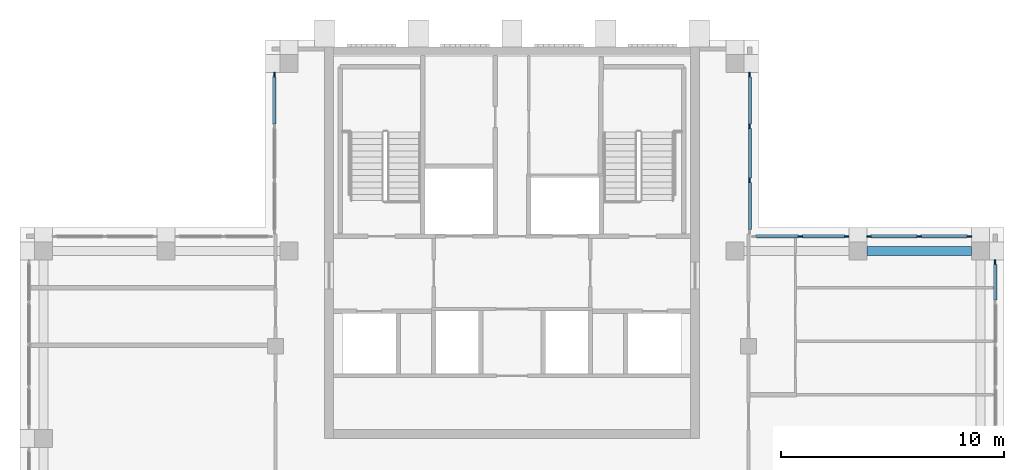
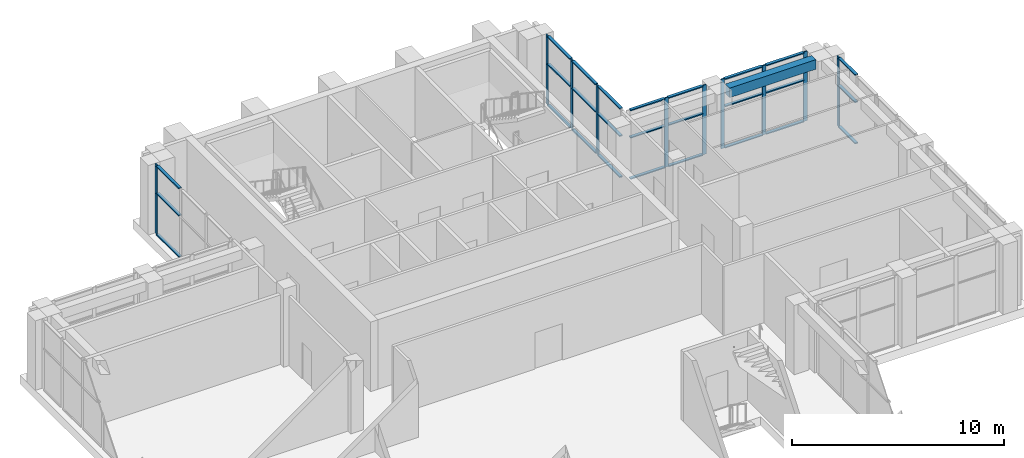
# One storey, part 6 of 14: 37 members, 1 beam, 5 elements without a shape of their own.
"""IFC4 building model written with IfcOpenShell, lengths in metres."""

from ifc_helpers import new_model, si_unit, direction, frame, origin, origin_2d, place, context, subcontext, project, spatial, rectangle, extrude, material, material_profile, profile_set, type_object, element, aggregate, save


model = new_model("IFC4")

# Units and contexts
model_context = context("Model", 3, precision=1e-05, world=origin(), true_north=direction((0.0, 1.0)))
body_context = subcontext(model_context, "Body", "Model", "MODEL_VIEW")
ifc_project = project(units=[si_unit("LENGTHUNIT", "METRE"), si_unit("AREAUNIT", "SQUARE_METRE"), si_unit("VOLUMEUNIT", "CUBIC_METRE"), si_unit("PLANEANGLEUNIT", "RADIAN"), si_unit("MASSUNIT", "GRAM", prefix="KILO")], contexts=[model_context])

# Site, building, storey
site_placement = place(None, origin())
site = spatial("IfcSite", under=ifc_project, at=site_placement, CompositionType="ELEMENT")
building_placement = place(site_placement, origin())
building = spatial("IfcBuilding", under=site, at=building_placement, Name="Vermilion Ogive Tower", CompositionType="ELEMENT")
storey_placement = place(building_placement, frame((0.0, 0.0, 273.85009765625)))
storey = spatial("IfcBuildingStorey", under=building, at=storey_placement, Name="L72", CompositionType="ELEMENT", Elevation=273.85009765625)

# Curtain wall, member
ifc_material_1 = material(Name="Laminated solar-control glazing in aluminium frame", Category="aluminium")
curtain_wall_type = type_object("IfcCurtainWallType", Name="Curtain wall CW4", PredefinedType="NOTDEFINED", material=ifc_material_1)
curtain_wall_1_placement = place(storey_placement, origin())
curtain_wall_1 = element("IfcCurtainWall", 1, at=curtain_wall_1_placement, inside=storey, type_object=curtain_wall_type, Name="CW4 glazing E2", PredefinedType="NOTDEFINED")
ifc_material_2 = material(Name="Aluminium mullion", Category="aluminium")
ifc_material_profile_1 = material_profile(ifc_material_2, rectangle(XDim=0.06005859375, YDim=0.199951171875, at=origin_2d()), Name="AL 60x200")
ifc_profile_set_1 = profile_set([ifc_material_profile_1], Name="Aluminium mullion")
member_type_1 = type_object("IfcMemberType", Name="CW4 mullion 60x200", PredefinedType="MULLION", material=ifc_profile_set_1)
member_1_placement = place(storey_placement, frame((21.64990234375, 12.10009765625, 0.0), z_axis=(0.0, 0.0, 1.0), x_axis=(-1.0, 0.0, 0.0)))
member_1 = element("IfcMember", 2, at=member_1_placement, type_object=member_type_1, Name="CW4-E2 mullion 5", PredefinedType="MULLION", context=body_context, shape_type="SweptSolid", body=[
    extrude(rectangle(XDim=0.06005859375, YDim=0.199951171875, at=origin_2d()), origin(), (0.0, 0.0, 1.0), 4.0),
])

# Curtain wall, members
curtain_wall_2_placement = place(storey_placement, origin())
curtain_wall_2 = element("IfcCurtainWall", 3, at=curtain_wall_2_placement, inside=storey, type_object=curtain_wall_type, Name="CW4 glazing X31", PredefinedType="NOTDEFINED")
member_2_placement = place(storey_placement, frame((20.5, 13.25, 0.0), z_axis=(0.0, 0.0, 1.0), x_axis=(0.0, -1.0, 0.0)))
member_2 = element("IfcMember", 4, at=member_2_placement, type_object=member_type_1, Name="CW4-X31 mullion 1", PredefinedType="MULLION", context=body_context, shape_type="SweptSolid", body=[
    extrude(rectangle(XDim=0.06005859375, YDim=0.199951171875, at=origin_2d()), origin(), (0.0, 0.0, 1.0), 4.0),
])
member_3_placement = place(storey_placement, frame((18.25, 13.25, 0.0), z_axis=(0.0, 0.0, 1.0), x_axis=(0.0, -1.0, 0.0)))
member_3 = element("IfcMember", 5, at=member_3_placement, type_object=member_type_1, Name="CW4-X31 mullion 2", PredefinedType="MULLION", context=body_context, shape_type="SweptSolid", body=[
    extrude(rectangle(XDim=0.06005859375, YDim=0.199951171875, at=origin_2d()), origin(), (0.0, 0.0, 1.0), 4.0),
])
member_4_placement = place(storey_placement, frame((16.0, 13.25, 0.0), z_axis=(0.0, 0.0, 1.0), x_axis=(0.0, -1.0, 0.0)))
member_4 = element("IfcMember", 6, at=member_4_placement, type_object=member_type_1, Name="CW4-X31 mullion 3", PredefinedType="MULLION", context=body_context, shape_type="SweptSolid", body=[
    extrude(rectangle(XDim=0.06005859375, YDim=0.199951171875, at=origin_2d()), origin(), (0.0, 0.0, 1.0), 4.0),
])

curtain_wall_3_placement = place(storey_placement, origin())
curtain_wall_3 = element("IfcCurtainWall", 7, at=curtain_wall_3_placement, inside=storey, type_object=curtain_wall_type, Name="CW4 glazing X32", PredefinedType="NOTDEFINED")
member_5_placement = place(storey_placement, frame((15.0, 13.25, 0.0), z_axis=(0.0, 0.0, 1.0), x_axis=(0.0, -1.0, 0.0)))
member_5 = element("IfcMember", 8, at=member_5_placement, type_object=member_type_1, Name="CW4-X32 mullion 1", PredefinedType="MULLION", context=body_context, shape_type="SweptSolid", body=[
    extrude(rectangle(XDim=0.06005859375, YDim=0.199951171875, at=origin_2d()), origin(), (0.0, 0.0, 1.0), 4.0),
])
member_6_placement = place(storey_placement, frame((12.925048828125, 13.25, 0.0), z_axis=(0.0, 0.0, 1.0), x_axis=(0.0, -1.0, 0.0)))
member_6 = element("IfcMember", 9, at=member_6_placement, type_object=member_type_1, Name="CW4-X32 mullion 2", PredefinedType="MULLION", context=body_context, shape_type="SweptSolid", body=[
    extrude(rectangle(XDim=0.06005859375, YDim=0.199951171875, at=origin_2d()), origin(), (0.0, 0.0, 1.0), 4.0),
])

curtain_wall_4_placement = place(storey_placement, origin())
curtain_wall_4 = element("IfcCurtainWall", 10, at=curtain_wall_4_placement, inside=storey, type_object=curtain_wall_type, Name="CW4 glazing X41", PredefinedType="NOTDEFINED")
member_7_placement = place(storey_placement, frame((10.64990234375, 15.7666015625, 0.0), z_axis=(0.0, 0.0, 1.0), x_axis=(-1.0, 0.0, 0.0)))
member_7 = element("IfcMember", 11, at=member_7_placement, type_object=member_type_1, Name="CW4-X41 mullion 2", PredefinedType="MULLION", context=body_context, shape_type="SweptSolid", body=[
    extrude(rectangle(XDim=0.06005859375, YDim=0.199951171875, at=origin_2d()), origin(), (0.0, 0.0, 1.0), 4.0),
])
member_8_placement = place(storey_placement, frame((10.64990234375, 18.183349609375, 0.0), z_axis=(0.0, 0.0, 1.0), x_axis=(-1.0, 0.0, 0.0)))
member_8 = element("IfcMember", 12, at=member_8_placement, type_object=member_type_1, Name="CW4-X41 mullion 3", PredefinedType="MULLION", context=body_context, shape_type="SweptSolid", body=[
    extrude(rectangle(XDim=0.06005859375, YDim=0.199951171875, at=origin_2d()), origin(), (0.0, 0.0, 1.0), 4.0),
])
member_9_placement = place(storey_placement, frame((10.64990234375, 20.5, 0.0), z_axis=(0.0, 0.0, 1.0), x_axis=(-1.0, 0.0, 0.0)))
member_9 = element("IfcMember", 13, at=member_9_placement, type_object=member_type_1, Name="CW4-X41 mullion 4", PredefinedType="MULLION", context=body_context, shape_type="SweptSolid", body=[
    extrude(rectangle(XDim=0.06005859375, YDim=0.199951171875, at=origin_2d()), origin(), (0.0, 0.0, 1.0), 4.0),
])

# Curtain wall, member
curtain_wall_5_placement = place(storey_placement, origin())
curtain_wall_5 = element("IfcCurtainWall", 14, at=curtain_wall_5_placement, inside=storey, type_object=curtain_wall_type, Name="CW4 glazing X51", PredefinedType="NOTDEFINED")
member_10_placement = place(storey_placement, frame((-10.64990234375, 20.5, 0.0), z_axis=(0.0, 0.0, 1.0), x_axis=(1.0, 0.0, 0.0)))
member_10 = element("IfcMember", 15, at=member_10_placement, type_object=member_type_1, Name="CW4-X51 mullion 1", PredefinedType="MULLION", context=body_context, shape_type="SweptSolid", body=[
    extrude(rectangle(XDim=0.06005859375, YDim=0.199951171875, at=origin_2d()), origin(), (0.0, 0.0, 1.0), 4.0),
])

# Member
ifc_material_3 = material(Name="Aluminium transom", Category="aluminium")
ifc_material_profile_2 = material_profile(ifc_material_3, rectangle(XDim=0.159912109375, YDim=0.06005859375, at=origin_2d()), Name="AL 60x160")
ifc_profile_set_2 = profile_set([ifc_material_profile_2], Name="Aluminium transom")
member_type_2 = type_object("IfcMemberType", Name="CW4 transom 60x160", PredefinedType="USERDEFINED", material=ifc_profile_set_2)
member_11_placement = place(storey_placement, frame((21.64990234375, 10.39990234375, 0.02978515625), z_axis=(0.0, 1.0, 0.0), x_axis=(-1.0, 0.0, 0.0)))
member_11 = element("IfcMember", 16, at=member_11_placement, type_object=member_type_2, Name="CW4-E2 transom 4.1", ObjectType="TRANSOM", PredefinedType="USERDEFINED", context=body_context, shape_type="SweptSolid", body=[
    extrude(rectangle(XDim=0.159912109375, YDim=0.06005859375, at=origin_2d()), origin(), (0.0, 0.0, 1.0), 1.60009765625),
])

member_12_placement = place(storey_placement, frame((21.64990234375, 10.39990234375, 2.39990234375), z_axis=(0.0, 1.0, 0.0), x_axis=(-1.0, 0.0, 0.0)))
member_12 = element("IfcMember", 17, at=member_12_placement, type_object=member_type_2, Name="CW4-E2 transom 4.2", ObjectType="TRANSOM", PredefinedType="USERDEFINED", context=body_context, shape_type="SweptSolid", body=[
    extrude(rectangle(XDim=0.159912109375, YDim=0.06005859375, at=origin_2d()), origin(), (0.0, 0.0, 1.0), 1.60009765625),
])

member_13_placement = place(storey_placement, frame((21.64990234375, 10.39990234375, 3.969970703125), z_axis=(0.0, 1.0, 0.0), x_axis=(-1.0, 0.0, 0.0)))
member_13 = element("IfcMember", 18, at=member_13_placement, type_object=member_type_2, Name="CW4-E2 transom 4.3", ObjectType="TRANSOM", PredefinedType="USERDEFINED", context=body_context, shape_type="SweptSolid", body=[
    extrude(rectangle(XDim=0.159912109375, YDim=0.06005859375, at=origin_2d()), origin(), (0.0, 0.0, 1.0), 1.60009765625),
])

aggregate(curtain_wall_1, [member_1, member_11, member_12, member_13])

member_14_placement = place(storey_placement, frame((20.39990234375, 13.25, 0.02978515625), z_axis=(-1.0, 0.0, 0.0), x_axis=(0.0, -1.0, 0.0)))
member_14 = element("IfcMember", 19, at=member_14_placement, type_object=member_type_2, Name="CW4-X31 transom 1.1", ObjectType="TRANSOM", PredefinedType="USERDEFINED", context=body_context, shape_type="SweptSolid", body=[
    extrude(rectangle(XDim=0.159912109375, YDim=0.06005859375, at=origin_2d()), origin(), (0.0, 0.0, 1.0), 2.0498046875),
])

member_15_placement = place(storey_placement, frame((20.39990234375, 13.25, 2.39990234375), z_axis=(-1.0, 0.0, 0.0), x_axis=(0.0, -1.0, 0.0)))
member_15 = element("IfcMember", 20, at=member_15_placement, type_object=member_type_2, Name="CW4-X31 transom 1.2", ObjectType="TRANSOM", PredefinedType="USERDEFINED", context=body_context, shape_type="SweptSolid", body=[
    extrude(rectangle(XDim=0.159912109375, YDim=0.06005859375, at=origin_2d()), origin(), (0.0, 0.0, 1.0), 2.0498046875),
])

member_16_placement = place(storey_placement, frame((20.39990234375, 13.25, 3.969970703125), z_axis=(-1.0, 0.0, 0.0), x_axis=(0.0, -1.0, 0.0)))
member_16 = element("IfcMember", 21, at=member_16_placement, type_object=member_type_2, Name="CW4-X31 transom 1.3", ObjectType="TRANSOM", PredefinedType="USERDEFINED", context=body_context, shape_type="SweptSolid", body=[
    extrude(rectangle(XDim=0.159912109375, YDim=0.06005859375, at=origin_2d()), origin(), (0.0, 0.0, 1.0), 2.0498046875),
])

member_17_placement = place(storey_placement, frame((18.14990234375, 13.25, 0.02978515625), z_axis=(-1.0, 0.0, 0.0), x_axis=(0.0, -1.0, 0.0)))
member_17 = element("IfcMember", 22, at=member_17_placement, type_object=member_type_2, Name="CW4-X31 transom 2.1", ObjectType="TRANSOM", PredefinedType="USERDEFINED", context=body_context, shape_type="SweptSolid", body=[
    extrude(rectangle(XDim=0.159912109375, YDim=0.06005859375, at=origin_2d()), origin(), (0.0, 0.0, 1.0), 2.0498046875),
])

member_18_placement = place(storey_placement, frame((18.14990234375, 13.25, 2.39990234375), z_axis=(-1.0, 0.0, 0.0), x_axis=(0.0, -1.0, 0.0)))
member_18 = element("IfcMember", 23, at=member_18_placement, type_object=member_type_2, Name="CW4-X31 transom 2.2", ObjectType="TRANSOM", PredefinedType="USERDEFINED", context=body_context, shape_type="SweptSolid", body=[
    extrude(rectangle(XDim=0.159912109375, YDim=0.06005859375, at=origin_2d()), origin(), (0.0, 0.0, 1.0), 2.0498046875),
])

member_19_placement = place(storey_placement, frame((18.14990234375, 13.25, 3.969970703125), z_axis=(-1.0, 0.0, 0.0), x_axis=(0.0, -1.0, 0.0)))
member_19 = element("IfcMember", 24, at=member_19_placement, type_object=member_type_2, Name="CW4-X31 transom 2.3", ObjectType="TRANSOM", PredefinedType="USERDEFINED", context=body_context, shape_type="SweptSolid", body=[
    extrude(rectangle(XDim=0.159912109375, YDim=0.06005859375, at=origin_2d()), origin(), (0.0, 0.0, 1.0), 2.0498046875),
])

aggregate(curtain_wall_2, [member_2, member_3, member_4, member_14, member_15, member_16, member_17, member_18, member_19])

member_20_placement = place(storey_placement, frame((14.89990234375, 13.25, 0.02978515625), z_axis=(-1.0, 0.0, 0.0), x_axis=(0.0, -1.0, 0.0)))
member_20 = element("IfcMember", 25, at=member_20_placement, type_object=member_type_2, Name="CW4-X32 transom 1.1", ObjectType="TRANSOM", PredefinedType="USERDEFINED", context=body_context, shape_type="SweptSolid", body=[
    extrude(rectangle(XDim=0.159912109375, YDim=0.06005859375, at=origin_2d()), origin(), (0.0, 0.0, 1.0), 1.875),
])

member_21_placement = place(storey_placement, frame((14.89990234375, 13.25, 2.39990234375), z_axis=(-1.0, 0.0, 0.0), x_axis=(0.0, -1.0, 0.0)))
member_21 = element("IfcMember", 26, at=member_21_placement, type_object=member_type_2, Name="CW4-X32 transom 1.2", ObjectType="TRANSOM", PredefinedType="USERDEFINED", context=body_context, shape_type="SweptSolid", body=[
    extrude(rectangle(XDim=0.159912109375, YDim=0.06005859375, at=origin_2d()), origin(), (0.0, 0.0, 1.0), 1.875),
])

member_22_placement = place(storey_placement, frame((14.89990234375, 13.25, 3.969970703125), z_axis=(-1.0, 0.0, 0.0), x_axis=(0.0, -1.0, 0.0)))
member_22 = element("IfcMember", 27, at=member_22_placement, type_object=member_type_2, Name="CW4-X32 transom 1.3", ObjectType="TRANSOM", PredefinedType="USERDEFINED", context=body_context, shape_type="SweptSolid", body=[
    extrude(rectangle(XDim=0.159912109375, YDim=0.06005859375, at=origin_2d()), origin(), (0.0, 0.0, 1.0), 1.875),
])

member_23_placement = place(storey_placement, frame((12.824951171875, 13.25, 0.02978515625), z_axis=(-1.0, 0.0, 0.0), x_axis=(0.0, -1.0, 0.0)))
member_23 = element("IfcMember", 28, at=member_23_placement, type_object=member_type_2, Name="CW4-X32 transom 2.1", ObjectType="TRANSOM", PredefinedType="USERDEFINED", context=body_context, shape_type="SweptSolid", body=[
    extrude(rectangle(XDim=0.159912109375, YDim=0.06005859375, at=origin_2d()), origin(), (0.0, 0.0, 1.0), 1.875),
])

member_24_placement = place(storey_placement, frame((12.824951171875, 13.25, 2.39990234375), z_axis=(-1.0, 0.0, 0.0), x_axis=(0.0, -1.0, 0.0)))
member_24 = element("IfcMember", 29, at=member_24_placement, type_object=member_type_2, Name="CW4-X32 transom 2.2", ObjectType="TRANSOM", PredefinedType="USERDEFINED", context=body_context, shape_type="SweptSolid", body=[
    extrude(rectangle(XDim=0.159912109375, YDim=0.06005859375, at=origin_2d()), origin(), (0.0, 0.0, 1.0), 1.875),
])

member_25_placement = place(storey_placement, frame((12.824951171875, 13.25, 3.969970703125), z_axis=(-1.0, 0.0, 0.0), x_axis=(0.0, -1.0, 0.0)))
member_25 = element("IfcMember", 30, at=member_25_placement, type_object=member_type_2, Name="CW4-X32 transom 2.3", ObjectType="TRANSOM", PredefinedType="USERDEFINED", context=body_context, shape_type="SweptSolid", body=[
    extrude(rectangle(XDim=0.159912109375, YDim=0.06005859375, at=origin_2d()), origin(), (0.0, 0.0, 1.0), 1.875),
])

aggregate(curtain_wall_3, [member_5, member_6, member_20, member_21, member_22, member_23, member_24, member_25])

member_26_placement = place(storey_placement, frame((10.64990234375, 13.550048828125, 0.02978515625), z_axis=(0.0, 1.0, 0.0), x_axis=(-1.0, 0.0, 0.0)))
member_26 = element("IfcMember", 31, at=member_26_placement, type_object=member_type_2, Name="CW4-X41 transom 1.1", ObjectType="TRANSOM", PredefinedType="USERDEFINED", context=body_context, shape_type="SweptSolid", body=[
    extrude(rectangle(XDim=0.159912109375, YDim=0.06005859375, at=origin_2d()), origin(), (0.0, 0.0, 1.0), 2.11669921875),
])

member_27_placement = place(storey_placement, frame((10.64990234375, 13.550048828125, 2.39990234375), z_axis=(0.0, 1.0, 0.0), x_axis=(-1.0, 0.0, 0.0)))
member_27 = element("IfcMember", 32, at=member_27_placement, type_object=member_type_2, Name="CW4-X41 transom 1.2", ObjectType="TRANSOM", PredefinedType="USERDEFINED", context=body_context, shape_type="SweptSolid", body=[
    extrude(rectangle(XDim=0.159912109375, YDim=0.06005859375, at=origin_2d()), origin(), (0.0, 0.0, 1.0), 2.11669921875),
])

member_28_placement = place(storey_placement, frame((10.64990234375, 13.550048828125, 3.969970703125), z_axis=(0.0, 1.0, 0.0), x_axis=(-1.0, 0.0, 0.0)))
member_28 = element("IfcMember", 33, at=member_28_placement, type_object=member_type_2, Name="CW4-X41 transom 1.3", ObjectType="TRANSOM", PredefinedType="USERDEFINED", context=body_context, shape_type="SweptSolid", body=[
    extrude(rectangle(XDim=0.159912109375, YDim=0.06005859375, at=origin_2d()), origin(), (0.0, 0.0, 1.0), 2.11669921875),
])

member_29_placement = place(storey_placement, frame((10.64990234375, 15.86669921875, 0.02978515625), z_axis=(0.0, 1.0, 0.0), x_axis=(-1.0, 0.0, 0.0)))
member_29 = element("IfcMember", 34, at=member_29_placement, type_object=member_type_2, Name="CW4-X41 transom 2.1", ObjectType="TRANSOM", PredefinedType="USERDEFINED", context=body_context, shape_type="SweptSolid", body=[
    extrude(rectangle(XDim=0.159912109375, YDim=0.06005859375, at=origin_2d()), origin(), (0.0, 0.0, 1.0), 2.216552734375),
])

member_30_placement = place(storey_placement, frame((10.64990234375, 15.86669921875, 2.39990234375), z_axis=(0.0, 1.0, 0.0), x_axis=(-1.0, 0.0, 0.0)))
member_30 = element("IfcMember", 35, at=member_30_placement, type_object=member_type_2, Name="CW4-X41 transom 2.2", ObjectType="TRANSOM", PredefinedType="USERDEFINED", context=body_context, shape_type="SweptSolid", body=[
    extrude(rectangle(XDim=0.159912109375, YDim=0.06005859375, at=origin_2d()), origin(), (0.0, 0.0, 1.0), 2.216552734375),
])

member_31_placement = place(storey_placement, frame((10.64990234375, 15.86669921875, 3.969970703125), z_axis=(0.0, 1.0, 0.0), x_axis=(-1.0, 0.0, 0.0)))
member_31 = element("IfcMember", 36, at=member_31_placement, type_object=member_type_2, Name="CW4-X41 transom 2.3", ObjectType="TRANSOM", PredefinedType="USERDEFINED", context=body_context, shape_type="SweptSolid", body=[
    extrude(rectangle(XDim=0.159912109375, YDim=0.06005859375, at=origin_2d()), origin(), (0.0, 0.0, 1.0), 2.216552734375),
])

member_32_placement = place(storey_placement, frame((10.64990234375, 18.283447265625, 0.02978515625), z_axis=(0.0, 1.0, 0.0), x_axis=(-1.0, 0.0, 0.0)))
member_32 = element("IfcMember", 37, at=member_32_placement, type_object=member_type_2, Name="CW4-X41 transom 3.1", ObjectType="TRANSOM", PredefinedType="USERDEFINED", context=body_context, shape_type="SweptSolid", body=[
    extrude(rectangle(XDim=0.159912109375, YDim=0.06005859375, at=origin_2d()), origin(), (0.0, 0.0, 1.0), 2.116455078125),
])

member_33_placement = place(storey_placement, frame((10.64990234375, 18.283447265625, 2.39990234375), z_axis=(0.0, 1.0, 0.0), x_axis=(-1.0, 0.0, 0.0)))
member_33 = element("IfcMember", 38, at=member_33_placement, type_object=member_type_2, Name="CW4-X41 transom 3.2", ObjectType="TRANSOM", PredefinedType="USERDEFINED", context=body_context, shape_type="SweptSolid", body=[
    extrude(rectangle(XDim=0.159912109375, YDim=0.06005859375, at=origin_2d()), origin(), (0.0, 0.0, 1.0), 2.116455078125),
])

member_34_placement = place(storey_placement, frame((10.64990234375, 18.283447265625, 3.969970703125), z_axis=(0.0, 1.0, 0.0), x_axis=(-1.0, 0.0, 0.0)))
member_34 = element("IfcMember", 39, at=member_34_placement, type_object=member_type_2, Name="CW4-X41 transom 3.3", ObjectType="TRANSOM", PredefinedType="USERDEFINED", context=body_context, shape_type="SweptSolid", body=[
    extrude(rectangle(XDim=0.159912109375, YDim=0.06005859375, at=origin_2d()), origin(), (0.0, 0.0, 1.0), 2.116455078125),
])

aggregate(curtain_wall_4, [member_7, member_8, member_9, member_26, member_27, member_28, member_29, member_30, member_31, member_32, member_33, member_34])

member_35_placement = place(storey_placement, frame((-10.64990234375, 20.39990234375, 0.02978515625), z_axis=(0.0, -1.0, 0.0), x_axis=(1.0, 0.0, 0.0)))
member_35 = element("IfcMember", 40, at=member_35_placement, type_object=member_type_2, Name="CW4-X51 transom 1.1", ObjectType="TRANSOM", PredefinedType="USERDEFINED", context=body_context, shape_type="SweptSolid", body=[
    extrude(rectangle(XDim=0.159912109375, YDim=0.06005859375, at=origin_2d()), origin(), (0.0, 0.0, 1.0), 2.116455078125),
])

member_36_placement = place(storey_placement, frame((-10.64990234375, 20.39990234375, 2.39990234375), z_axis=(0.0, -1.0, 0.0), x_axis=(1.0, 0.0, 0.0)))
member_36 = element("IfcMember", 41, at=member_36_placement, type_object=member_type_2, Name="CW4-X51 transom 1.2", ObjectType="TRANSOM", PredefinedType="USERDEFINED", context=body_context, shape_type="SweptSolid", body=[
    extrude(rectangle(XDim=0.159912109375, YDim=0.06005859375, at=origin_2d()), origin(), (0.0, 0.0, 1.0), 2.116455078125),
])

member_37_placement = place(storey_placement, frame((-10.64990234375, 20.39990234375, 3.969970703125), z_axis=(0.0, -1.0, 0.0), x_axis=(1.0, 0.0, 0.0)))
member_37 = element("IfcMember", 42, at=member_37_placement, type_object=member_type_2, Name="CW4-X51 transom 1.3", ObjectType="TRANSOM", PredefinedType="USERDEFINED", context=body_context, shape_type="SweptSolid", body=[
    extrude(rectangle(XDim=0.159912109375, YDim=0.06005859375, at=origin_2d()), origin(), (0.0, 0.0, 1.0), 2.116455078125),
])

aggregate(curtain_wall_5, [member_10, member_35, member_36, member_37])

# Beam
ifc_material_4 = material(Name="Concrete B45", Category="concrete")
ifc_material_profile_3 = material_profile(ifc_material_4, rectangle(XDim=0.39990234375, YDim=0.550048828125, at=origin_2d()), Name="400 x 550")
ifc_profile_set_3 = profile_set([ifc_material_profile_3], Name="Concrete B45")
beam_type = type_object("IfcBeamType", Name="Edge beam 400 x 550 B45", PredefinedType="BEAM", material=ifc_profile_set_3)
beam_placement = place(storey_placement, frame((20.60009765625, 12.60009765625, 3.724853515625), z_axis=(-1.0, 0.0, 0.0), x_axis=(0.0, -1.0, 0.0)))
element("IfcBeam", 43, at=beam_placement, inside=storey, type_object=beam_type, Name="L72-EB-9", PredefinedType="BEAM", context=body_context, shape_type="SweptSolid", body=[
    extrude(rectangle(XDim=0.39990234375, YDim=0.550048828125, at=origin_2d()), origin(), (0.0, 0.0, 1.0), 4.7001953125),
])

save(model, "model.ifc")
